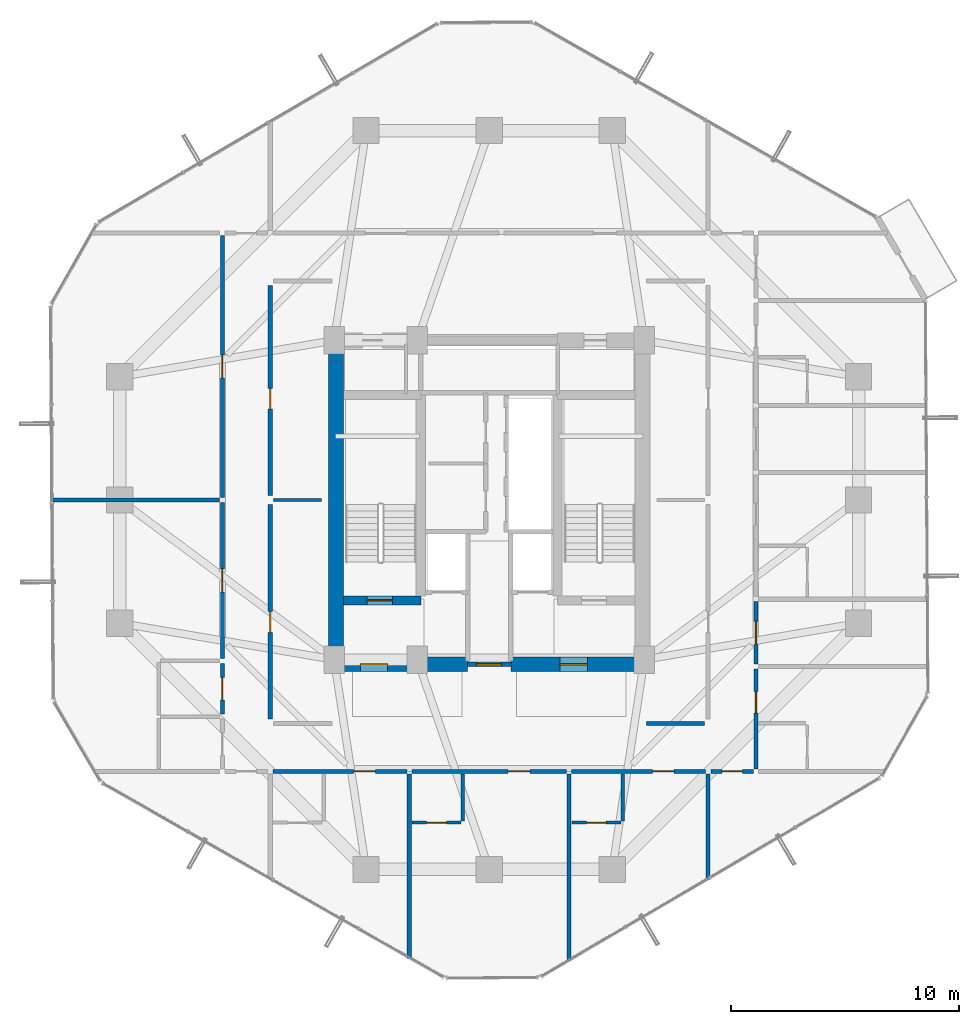
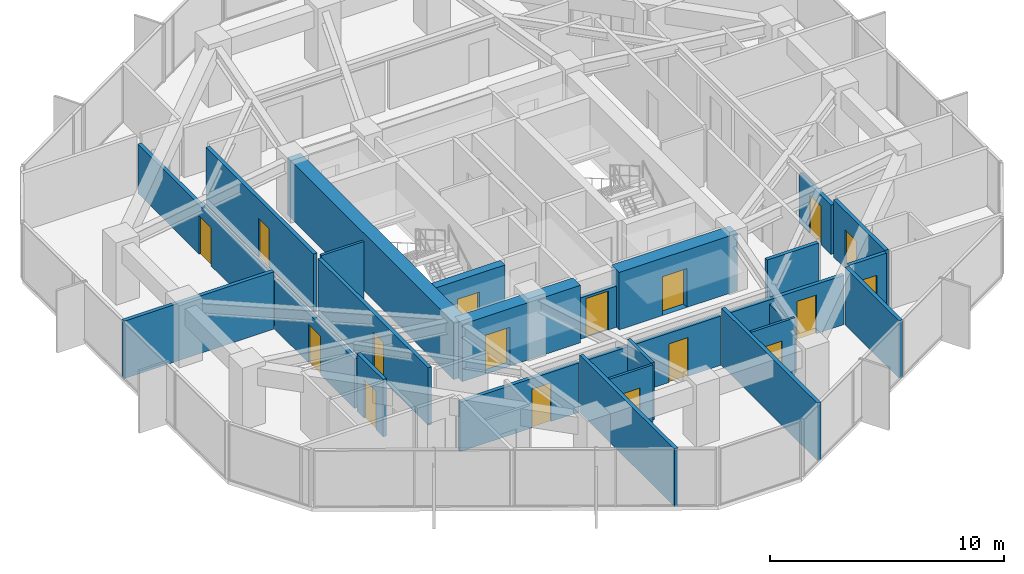
# One storey, part 26 of 30: 26 walls, 17 doors, 17 openings.
"""IFC4 building model written with IfcOpenShell, lengths in metres."""

from ifc_helpers import new_model, si_unit, direction, frame, frame_2d, origin, place, context, subcontext, project, spatial, rectangle, extrude, source, transform, mapped, material, layer, layer_set, type_object, element, fill, save


model = new_model("IFC4")

# Units and contexts
model_context = context("Model", 3, precision=1e-05, world=origin(), true_north=direction((0.0, 1.0)))
body_context = subcontext(model_context, "Body", "Model", "MODEL_VIEW")
ifc_project = project(units=[si_unit("LENGTHUNIT", "METRE"), si_unit("AREAUNIT", "SQUARE_METRE"), si_unit("VOLUMEUNIT", "CUBIC_METRE"), si_unit("PLANEANGLEUNIT", "RADIAN"), si_unit("MASSUNIT", "GRAM", prefix="KILO")], contexts=[model_context])

# Site, building, storey
site_placement = place(None, origin())
site = spatial("IfcSite", under=ifc_project, at=site_placement, CompositionType="ELEMENT")
building_placement = place(site_placement, origin())
building = spatial("IfcBuilding", under=site, at=building_placement, Name="Veraguas Prism Commons", CompositionType="ELEMENT")
storey_placement = place(building_placement, frame((0.0, 0.0, 129.5)))
storey = spatial("IfcBuildingStorey", under=building, at=storey_placement, Name="L36", CompositionType="ELEMENT", Elevation=129.5)

# Wall, opening, door
ifc_material_1 = material(Name="Concrete C50/60", Category="concrete")
ifc_layer_1 = layer(ifc_material_1, 0.39990234375, Name="Clinic and Mid Core Shear Wall RC 400", Category="concrete")
ifc_layer_set_1 = layer_set([ifc_layer_1], Name="Concrete C50/60")
wall_type_1 = type_object("IfcWallType", Name="Clinic and Mid Core Shear Wall RC 400", PredefinedType="SHEAR", material=ifc_layer_set_1)
wall_1_placement = place(storey_placement, frame((17.60009765625, 19.60009765625, 0.0), z_axis=(0.0, 0.0, 1.0), x_axis=(1.0, 0.0, 0.0)))
wall_1 = element("IfcWall", 1, at=wall_1_placement, inside=storey, type_object=wall_type_1, Name="Stair ST-01 South Shear Wall L36", PredefinedType="SHEAR", context=body_context, shape_type="SweptSolid", body=[
    extrude(rectangle(XDim=3.39990234375, YDim=0.39990234375, at=frame_2d((1.699951171875, 0.0))), origin(), (0.0, 0.0, 1.0), 3.0),
])
opening_1_placement = place(wall_1_placement, frame((1.050048828125, 0.0, 0.0)))
opening_1 = element("IfcOpeningElement", 2, at=opening_1_placement, cuts=wall_1, Name="Opening DR-05", PredefinedType="OPENING", context=body_context, shape_type="SweptSolid", body=[
    extrude(rectangle(XDim=1.10009765625, YDim=2.030029296875, at=frame_2d((0.550048828125, 1.01513671875))), frame((0.0, 0.2099609375, 0.0), z_axis=(0.0, -1.0, 0.0), x_axis=(1.0, 0.0, 0.0)), (0.0, 0.0, 1.0), 0.419921875),
])
ifc_material_2 = material(Name="Steel fire-rated door assembly", Category="steel")
door_type_1 = type_object("IfcDoorType", Name="Protected Stair and Refuge Fire Door 1100x2030", OperationType="NOTDEFINED", PredefinedType="DOOR", material=ifc_material_2)
shared_shape_1 = source(origin(), body_context, "Body", "SweptSolid", [
    extrude(rectangle(XDim=1.10009765625, YDim=2.030029296875, at=frame_2d((0.550048828125, 1.01513671875))), frame((0.0, 0.02490234375, 0.0), z_axis=(0.0, -1.0, 0.0), x_axis=(1.0, 0.0, 0.0)), (0.0, 0.0, 1.0), 0.050048828125),
])
door_1_placement = place(opening_1_placement, origin())
door_1 = element("IfcDoor", 3, at=door_1_placement, inside=storey, type_object=door_type_1, Name="Stair ST-01 Enclosure Door L36", OperationType="SINGLE_SWING_LEFT", OverallHeight=2.030029296875, OverallWidth=1.10009765625, PredefinedType="DOOR", context=body_context, shape_type="MappedRepresentation", body=[
    mapped(shared_shape_1, transform((0.0, 0.0, 0.0), scale=1.0)),
])
fill(opening_1, door_1)

# Wall
ifc_material_3 = material(Name="Concrete C55/67", Category="concrete")
ifc_layer_2 = layer(ifc_material_3, 0.64990234375, Name="Core Outer Shear Wall Mid RC 650", Category="concrete")
ifc_layer_set_2 = layer_set([ifc_layer_2], Name="Concrete C55/67")
wall_type_2 = type_object("IfcWallType", Name="Core Outer Shear Wall Mid RC 650", PredefinedType="SHEAR", material=ifc_layer_set_2)
wall_2_placement = place(storey_placement, frame((17.27490234375, 16.800048828125, 0.0), z_axis=(0.0, 0.0, 1.0), x_axis=(0.0, 1.0, 0.0)))
element("IfcWall", 4, at=wall_2_placement, inside=storey, type_object=wall_type_2, Name="Central Core West Shear Wall L36", PredefinedType="SHEAR", context=body_context, shape_type="SweptSolid", body=[
    extrude(rectangle(XDim=14.199951171875, YDim=0.64990234375, at=frame_2d((7.10009765625, 0.0))), origin(), (0.0, 0.0, 1.0), 3.0),
])

# Wall, opening, door
wall_3_placement = place(storey_placement, frame((17.199951171875, 16.800048828125, 0.0), z_axis=(0.0, 0.0, 1.0), x_axis=(1.0, 0.0, 0.0)))
wall_3 = element("IfcWall", 5, at=wall_3_placement, inside=storey, type_object=wall_type_2, Name="Central Core South-West Shear Wall L36", PredefinedType="SHEAR", context=body_context, shape_type="SweptSolid", body=[
    extrude(rectangle(XDim=5.85009765625, YDim=0.64990234375, at=frame_2d((2.925048828125, 0.0))), origin(), (0.0, 0.0, 1.0), 3.0),
])
opening_2_placement = place(wall_3_placement, frame((1.14990234375, 0.0, 0.0)))
opening_2 = element("IfcOpeningElement", 6, at=opening_2_placement, cuts=wall_3, Name="Opening DR-06", PredefinedType="OPENING", context=body_context, shape_type="SweptSolid", body=[
    extrude(rectangle(XDim=1.199951171875, YDim=2.030029296875, at=frame_2d((0.60009765625, 1.01513671875))), frame((0.0, 0.3349609375, 0.0), z_axis=(0.0, -1.0, 0.0), x_axis=(1.0, 0.0, 0.0)), (0.0, 0.0, 1.0), 0.669921875),
])
door_type_2 = type_object("IfcDoorType", Name="Firefighting Lobby Smoke Door 1200x2030", OperationType="NOTDEFINED", PredefinedType="DOOR", material=ifc_material_2)
shared_shape_2 = source(origin(), body_context, "Body", "SweptSolid", [
    extrude(rectangle(XDim=1.199951171875, YDim=2.030029296875, at=frame_2d((0.60009765625, 1.01513671875))), frame((0.0, 0.02490234375, 0.0), z_axis=(0.0, -1.0, 0.0), x_axis=(1.0, 0.0, 0.0)), (0.0, 0.0, 1.0), 0.050048828125),
])
door_2_placement = place(opening_2_placement, origin())
door_2 = element("IfcDoor", 7, at=door_2_placement, inside=storey, type_object=door_type_2, Name="West FF Lobby Door L36", OperationType="SINGLE_SWING_RIGHT", OverallHeight=2.030029296875, OverallWidth=1.199951171875, PredefinedType="DOOR", context=body_context, shape_type="MappedRepresentation", body=[
    mapped(shared_shape_2, transform((0.0, 0.0, 0.0), scale=1.0)),
])
fill(opening_2, door_2)

wall_4_placement = place(storey_placement, frame((24.949951171875, 16.800048828125, 0.0), z_axis=(0.0, 0.0, 1.0), x_axis=(1.0, 0.0, 0.0)))
wall_4 = element("IfcWall", 8, at=wall_4_placement, inside=storey, type_object=wall_type_2, Name="Central Core South-East Shear Wall L36", PredefinedType="SHEAR", context=body_context, shape_type="SweptSolid", body=[
    extrude(rectangle(XDim=5.85009765625, YDim=0.64990234375, at=frame_2d((2.925048828125, 0.0))), origin(), (0.0, 0.0, 1.0), 3.0),
])
opening_3_placement = place(wall_4_placement, frame((2.14990234375, 0.0, 0.0)))
opening_3 = element("IfcOpeningElement", 9, at=opening_3_placement, cuts=wall_4, Name="Opening DR-06", PredefinedType="OPENING", context=body_context, shape_type="SweptSolid", body=[
    extrude(rectangle(XDim=1.199951171875, YDim=2.030029296875, at=frame_2d((0.60009765625, 1.01513671875))), frame((0.0, 0.3349609375, 0.0), z_axis=(0.0, -1.0, 0.0), x_axis=(1.0, 0.0, 0.0)), (0.0, 0.0, 1.0), 0.669921875),
])
door_3_placement = place(opening_3_placement, origin())
door_3 = element("IfcDoor", 10, at=door_3_placement, inside=storey, type_object=door_type_2, Name="East FF Lobby Door L36", OperationType="SINGLE_SWING_RIGHT", OverallHeight=2.030029296875, OverallWidth=1.199951171875, PredefinedType="DOOR", context=body_context, shape_type="MappedRepresentation", body=[
    mapped(shared_shape_2, transform((0.0, 0.0, 0.0), scale=1.0)),
])
fill(opening_3, door_3)

ifc_material_4 = material(Name="Autoclaved aerated masonry block 10 MPa", Category="masonry")
ifc_layer_3 = layer(ifc_material_4, 0.179931640625, Name="Corridor and Inter-Tenancy Partition 180", Category="masonry")
ifc_layer_set_3 = layer_set([ifc_layer_3], Name="Autoclaved aerated masonry block 10 MPa")
wall_type_3 = type_object("IfcWallType", Name="Corridor and Inter-Tenancy Partition 180", PredefinedType="PARTITIONING", material=ifc_layer_set_3)
wall_5_placement = place(storey_placement, frame((14.39990234375, 14.39990234375, 0.0), z_axis=(0.0, 0.0, 1.0), x_axis=(0.0, 1.0, 0.0)))
wall_5 = element("IfcWall", 11, at=wall_5_placement, inside=storey, type_object=wall_type_3, Name="WL-L36-IRW1", PredefinedType="PARTITIONING", context=body_context, shape_type="SweptSolid", body=[
    extrude(rectangle(XDim=9.400146484375, YDim=0.179931640625, at=frame_2d((4.7001953125, 0.0))), origin(), (0.0, 0.0, 1.0), 3.0),
])
opening_4_placement = place(wall_5_placement, frame((3.800048828125, 0.0, 0.0)))
opening_4 = element("IfcOpeningElement", 12, at=opening_4_placement, cuts=wall_5, Name="Opening DR-14", PredefinedType="OPENING", context=body_context, shape_type="SweptSolid", body=[
    extrude(rectangle(XDim=0.89990234375, YDim=2.010009765625, at=frame_2d((0.449951171875, 1.0048828125))), frame((0.0, 0.099853515625, 0.0), z_axis=(0.0, -1.0, 0.0), x_axis=(1.0, 0.0, 0.0)), (0.0, 0.0, 1.0), 0.199951171875),
])
door_type_3 = type_object("IfcDoorType", Name="Core Service Room Fire Door 900x2010", OperationType="NOTDEFINED", PredefinedType="DOOR", material=ifc_material_2)
shared_shape_3 = source(origin(), body_context, "Body", "SweptSolid", [
    extrude(rectangle(XDim=0.89990234375, YDim=2.010009765625, at=frame_2d((0.449951171875, 1.0048828125))), frame((0.0, 0.02490234375, 0.0), z_axis=(0.0, -1.0, 0.0), x_axis=(1.0, 0.0, 0.0)), (0.0, 0.0, 1.0), 0.050048828125),
])
door_4_placement = place(opening_4_placement, origin())
door_4 = element("IfcDoor", 13, at=door_4_placement, inside=storey, type_object=door_type_3, Name="Residents Quiet Study Pod Door L36", OperationType="SINGLE_SWING_LEFT", OverallHeight=2.010009765625, OverallWidth=0.89990234375, PredefinedType="DOOR", context=body_context, shape_type="MappedRepresentation", body=[
    mapped(shared_shape_3, transform((0.0, 0.0, 0.0), scale=1.0)),
])
fill(opening_4, door_4)

wall_6_placement = place(storey_placement, frame((14.39990234375, 24.199951171875, 0.0), z_axis=(0.0, 0.0, 1.0), x_axis=(0.0, 1.0, 0.0)))
wall_6 = element("IfcWall", 14, at=wall_6_placement, inside=storey, type_object=wall_type_3, Name="WL-L36-IRW2", PredefinedType="PARTITIONING", context=body_context, shape_type="SweptSolid", body=[
    extrude(rectangle(XDim=9.199951171875, YDim=0.179931640625, at=frame_2d((4.60009765625, 0.0))), origin(), (0.0, 0.0, 1.0), 3.0),
])
opening_5_placement = place(wall_6_placement, frame((3.800048828125, 0.0, 0.0)))
opening_5 = element("IfcOpeningElement", 15, at=opening_5_placement, cuts=wall_6, Name="Opening DR-14", PredefinedType="OPENING", context=body_context, shape_type="SweptSolid", body=[
    extrude(rectangle(XDim=0.89990234375, YDim=2.010009765625, at=frame_2d((0.449951171875, 1.0048828125))), frame((0.0, 0.099853515625, 0.0), z_axis=(0.0, -1.0, 0.0), x_axis=(1.0, 0.0, 0.0)), (0.0, 0.0, 1.0), 0.199951171875),
])
door_5_placement = place(opening_5_placement, origin())
door_5 = element("IfcDoor", 16, at=door_5_placement, inside=storey, type_object=door_type_3, Name="Co-op Cycle and Pram Store Door L36", OperationType="SINGLE_SWING_RIGHT", OverallHeight=2.010009765625, OverallWidth=0.89990234375, PredefinedType="DOOR", context=body_context, shape_type="MappedRepresentation", body=[
    mapped(shared_shape_3, transform((0.0, 0.0, 0.0), scale=1.0)),
])
fill(opening_5, door_5)

# Walls
wall_7_placement = place(storey_placement, frame((30.89990234375, 14.199951171875, 0.0), z_axis=(0.0, 0.0, 1.0), x_axis=(1.0, 0.0, 0.0)))
element("IfcWall", 17, at=wall_7_placement, inside=storey, type_object=wall_type_3, Name="WL-L36-IRES", PredefinedType="PARTITIONING", context=body_context, shape_type="SweptSolid", body=[
    extrude(rectangle(XDim=2.550048828125, YDim=0.179931640625, at=frame_2d((1.27490234375, 0.0))), origin(), (0.0, 0.0, 1.0), 3.0),
])
wall_8_placement = place(storey_placement, frame((33.60009765625, 11.97998046875, 0.0), z_axis=(0.0, 0.0, 1.0), x_axis=(0.0, -1.0, 0.0)))
element("IfcWall", 18, at=wall_8_placement, inside=storey, type_object=wall_type_3, Name="WL-L36-PT002", PredefinedType="PARTITIONING", context=body_context, shape_type="SweptSolid", body=[
    extrude(rectangle(XDim=4.62255859375, YDim=0.179931640625, at=frame_2d((2.311279296875, 0.0))), origin(), (0.0, 0.0, 1.0), 3.0),
])

# Wall, opening, door
wall_9_placement = place(storey_placement, frame((14.510009765625, 12.10009765625, 0.0), z_axis=(0.0, 0.0, 1.0), x_axis=(1.0, 0.0, 0.0)))
wall_9 = element("IfcWall", 19, at=wall_9_placement, inside=storey, type_object=wall_type_3, Name="WL-L36-PT003", PredefinedType="PARTITIONING", context=body_context, shape_type="SweptSolid", body=[
    extrude(rectangle(XDim=5.8759765625, YDim=0.179931640625, at=frame_2d((2.93798828125, 0.0))), origin(), (0.0, 0.0, 1.0), 2.580078125),
])
opening_6_placement = place(wall_9_placement, frame((3.54931640625, 0.0, 0.0)))
opening_6 = element("IfcOpeningElement", 20, at=opening_6_placement, cuts=wall_9, Name="Opening DR-01", PredefinedType="OPENING", context=body_context, shape_type="SweptSolid", body=[
    extrude(rectangle(XDim=0.949951171875, YDim=2.02001953125, at=frame_2d((0.47509765625, 1.010009765625))), frame((0.0, 0.099853515625, 0.0), z_axis=(0.0, -1.0, 0.0), x_axis=(1.0, 0.0, 0.0)), (0.0, 0.0, 1.0), 0.199951171875),
])
ifc_material_5 = material(Name="Anodised aluminium EN AW-6063 T6", Category="aluminium")
door_type_4 = type_object("IfcDoorType", Name="Apartment Entrance Fire Door 950x2020", OperationType="NOTDEFINED", PredefinedType="DOOR", material=ifc_material_5)
shared_shape_4 = source(origin(), body_context, "Body", "SweptSolid", [
    extrude(rectangle(XDim=0.949951171875, YDim=2.02001953125, at=frame_2d((0.47509765625, 1.010009765625))), frame((0.0, 0.02490234375, 0.0), z_axis=(0.0, -1.0, 0.0), x_axis=(1.0, 0.0, 0.0)), (0.0, 0.0, 1.0), 0.050048828125),
])
door_6_placement = place(opening_6_placement, origin())
door_6 = element("IfcDoor", 21, at=door_6_placement, inside=storey, type_object=door_type_4, Name="Studio 36A Entrance Door", OperationType="SINGLE_SWING_LEFT", OverallHeight=2.02001953125, OverallWidth=0.949951171875, PredefinedType="DOOR", context=body_context, shape_type="MappedRepresentation", body=[
    mapped(shared_shape_4, transform((0.0, 0.0, 0.0), scale=1.0)),
])
fill(opening_6, door_6)

# Wall
wall_10_placement = place(storey_placement, frame((20.49609375, 11.97998046875, 0.0), z_axis=(0.0, 0.0, 1.0), x_axis=(0.0, -1.0, 0.0)))
element("IfcWall", 22, at=wall_10_placement, inside=storey, type_object=wall_type_3, Name="WL-L36-PT006", PredefinedType="PARTITIONING", context=body_context, shape_type="SweptSolid", body=[
    extrude(rectangle(XDim=8.08837890625, YDim=0.179931640625, at=frame_2d((4.044189453125, 0.0))), origin(), (0.0, 0.0, 1.0), 3.0),
])

# Wall, opening, door
wall_11_placement = place(storey_placement, frame((20.60595703125, 12.10009765625, 0.0), z_axis=(0.0, 0.0, 1.0), x_axis=(1.0, 0.0, 0.0)))
wall_11 = element("IfcWall", 23, at=wall_11_placement, inside=storey, type_object=wall_type_3, Name="WL-L36-PT007", PredefinedType="PARTITIONING", context=body_context, shape_type="SweptSolid", body=[
    extrude(rectangle(XDim=6.7880859375, YDim=0.179931640625, at=frame_2d((3.39404296875, 0.0))), origin(), (0.0, 0.0, 1.0), 2.580078125),
])
opening_7_placement = place(wall_11_placement, frame((4.22412109375, 0.0, 0.0)))
opening_7 = element("IfcOpeningElement", 24, at=opening_7_placement, cuts=wall_11, Name="Opening DR-01", PredefinedType="OPENING", context=body_context, shape_type="SweptSolid", body=[
    extrude(rectangle(XDim=0.949951171875, YDim=2.02001953125, at=frame_2d((0.47509765625, 1.010009765625))), frame((0.0, 0.099853515625, 0.0), z_axis=(0.0, -1.0, 0.0), x_axis=(1.0, 0.0, 0.0)), (0.0, 0.0, 1.0), 0.199951171875),
])
door_7_placement = place(opening_7_placement, origin())
door_7 = element("IfcDoor", 25, at=door_7_placement, inside=storey, type_object=door_type_4, Name="Studio 36B Entrance Door", OperationType="SINGLE_SWING_LEFT", OverallHeight=2.02001953125, OverallWidth=0.949951171875, PredefinedType="DOOR", context=body_context, shape_type="MappedRepresentation", body=[
    mapped(shared_shape_4, transform((0.0, 0.0, 0.0), scale=1.0)),
])
fill(opening_7, door_7)

# Wall
wall_12_placement = place(storey_placement, frame((27.50390625, 11.97998046875, 0.0), z_axis=(0.0, 0.0, 1.0), x_axis=(0.0, -1.0, 0.0)))
element("IfcWall", 26, at=wall_12_placement, inside=storey, type_object=wall_type_3, Name="WL-L36-PT010", PredefinedType="PARTITIONING", context=body_context, shape_type="SweptSolid", body=[
    extrude(rectangle(XDim=8.1962890625, YDim=0.179931640625, at=frame_2d((4.09814453125, 0.0))), origin(), (0.0, 0.0, 1.0), 3.0),
])

# Wall, opening, door
wall_13_placement = place(storey_placement, frame((27.614013671875, 12.10009765625, 0.0), z_axis=(0.0, 0.0, 1.0), x_axis=(1.0, 0.0, 0.0)))
wall_13 = element("IfcWall", 27, at=wall_13_placement, inside=storey, type_object=wall_type_3, Name="WL-L36-PT011", PredefinedType="PARTITIONING", context=body_context, shape_type="SweptSolid", body=[
    extrude(rectangle(XDim=5.8759765625, YDim=0.179931640625, at=frame_2d((2.93798828125, 0.0))), origin(), (0.0, 0.0, 1.0), 2.580078125),
])
opening_8_placement = place(wall_13_placement, frame((3.54931640625, 0.0, 0.0)))
opening_8 = element("IfcOpeningElement", 28, at=opening_8_placement, cuts=wall_13, Name="Opening DR-01", PredefinedType="OPENING", context=body_context, shape_type="SweptSolid", body=[
    extrude(rectangle(XDim=0.949951171875, YDim=2.02001953125, at=frame_2d((0.47509765625, 1.010009765625))), frame((0.0, 0.099853515625, 0.0), z_axis=(0.0, -1.0, 0.0), x_axis=(1.0, 0.0, 0.0)), (0.0, 0.0, 1.0), 0.199951171875),
])
door_8_placement = place(opening_8_placement, origin())
door_8 = element("IfcDoor", 29, at=door_8_placement, inside=storey, type_object=door_type_4, Name="Studio 36C Entrance Door", OperationType="SINGLE_SWING_LEFT", OverallHeight=2.02001953125, OverallWidth=0.949951171875, PredefinedType="DOOR", context=body_context, shape_type="MappedRepresentation", body=[
    mapped(shared_shape_4, transform((0.0, 0.0, 0.0), scale=1.0)),
])
fill(opening_8, door_8)

wall_14_placement = place(storey_placement, frame((12.300048828125, 14.610107421875, 0.0), z_axis=(0.0, 0.0, 1.0), x_axis=(0.0, 1.0, 0.0)))
wall_14 = element("IfcWall", 30, at=wall_14_placement, inside=storey, type_object=wall_type_3, Name="WL-L36-PT021", PredefinedType="PARTITIONING", context=body_context, shape_type="SweptSolid", body=[
    extrude(rectangle(XDim=2.22998046875, YDim=0.179931640625, at=frame_2d((1.114990234375, 0.0))), origin(), (0.0, 0.0, 1.0), 3.0),
])
opening_9_placement = place(wall_14_placement, frame((0.614990234375, 0.0, 0.0)))
opening_9 = element("IfcOpeningElement", 31, at=opening_9_placement, cuts=wall_14, Name="Opening DR-13", PredefinedType="OPENING", context=body_context, shape_type="SweptSolid", body=[
    extrude(rectangle(XDim=1.0, YDim=2.010009765625, at=frame_2d((0.5, 1.0048828125))), frame((0.0, 0.099853515625, 0.0), z_axis=(0.0, -1.0, 0.0), x_axis=(1.0, 0.0, 0.0)), (0.0, 0.0, 1.0), 0.199951171875),
])
door_type_5 = type_object("IfcDoorType", Name="Core Accessible WC and Clinic Fire Door 1000x2010", OperationType="NOTDEFINED", PredefinedType="DOOR", material=ifc_material_2)
shared_shape_5 = source(origin(), body_context, "Body", "SweptSolid", [
    extrude(rectangle(XDim=1.0, YDim=2.010009765625, at=frame_2d((0.5, 1.0048828125))), frame((0.0, 0.02490234375, 0.0), z_axis=(0.0, -1.0, 0.0), x_axis=(1.0, 0.0, 0.0)), (0.0, 0.0, 1.0), 0.050048828125),
])
door_9_placement = place(opening_9_placement, origin())
door_9 = element("IfcDoor", 32, at=door_9_placement, inside=storey, type_object=door_type_5, Name="Accessible WC L36 Door", OperationType="SINGLE_SWING_RIGHT", OverallHeight=2.010009765625, OverallWidth=1.0, PredefinedType="DOOR", context=body_context, shape_type="MappedRepresentation", body=[
    mapped(shared_shape_5, transform((0.0, 0.0, 0.0), scale=1.0)),
])
fill(opening_9, door_9)

wall_15_placement = place(storey_placement, frame((12.300048828125, 17.06005859375, 0.0), z_axis=(0.0, 0.0, 1.0), x_axis=(0.0, 1.0, 0.0)))
wall_15 = element("IfcWall", 33, at=wall_15_placement, inside=storey, type_object=wall_type_3, Name="WL-L36-PT022", PredefinedType="PARTITIONING", context=body_context, shape_type="SweptSolid", body=[
    extrude(rectangle(XDim=6.829833984375, YDim=0.179931640625, at=frame_2d((3.4150390625, 0.0))), origin(), (0.0, 0.0, 1.0), 2.580078125),
])
opening_10_placement = place(wall_15_placement, frame((2.9150390625, 0.0, 0.0)))
opening_10 = element("IfcOpeningElement", 34, at=opening_10_placement, cuts=wall_15, Name="Opening DR-13", PredefinedType="OPENING", context=body_context, shape_type="SweptSolid", body=[
    extrude(rectangle(XDim=1.0, YDim=2.010009765625, at=frame_2d((0.5, 1.0048828125))), frame((0.0, 0.099853515625, 0.0), z_axis=(0.0, -1.0, 0.0), x_axis=(1.0, 0.0, 0.0)), (0.0, 0.0, 1.0), 0.199951171875),
])
door_10_placement = place(opening_10_placement, origin())
door_10 = element("IfcDoor", 35, at=door_10_placement, inside=storey, type_object=door_type_5, Name="Quiet Study L36 Door", OperationType="SINGLE_SWING_LEFT", OverallHeight=2.010009765625, OverallWidth=1.0, PredefinedType="DOOR", context=body_context, shape_type="MappedRepresentation", body=[
    mapped(shared_shape_5, transform((0.0, 0.0, 0.0), scale=1.0)),
])
fill(opening_10, door_10)

wall_16_placement = place(storey_placement, frame((12.300048828125, 24.110107421875, 0.0), z_axis=(0.0, 0.0, 1.0), x_axis=(0.0, 1.0, 0.0)))
wall_16 = element("IfcWall", 36, at=wall_16_placement, inside=storey, type_object=wall_type_3, Name="WL-L36-PT023", PredefinedType="PARTITIONING", context=body_context, shape_type="SweptSolid", body=[
    extrude(rectangle(XDim=11.47998046875, YDim=0.179931640625, at=frame_2d((5.739990234375, 0.0))), origin(), (0.0, 0.0, 1.0), 2.580078125),
])
opening_11_placement = place(wall_16_placement, frame((5.239990234375, 0.0, 0.0)))
opening_11 = element("IfcOpeningElement", 37, at=opening_11_placement, cuts=wall_16, Name="Opening DR-13", PredefinedType="OPENING", context=body_context, shape_type="SweptSolid", body=[
    extrude(rectangle(XDim=1.0, YDim=2.010009765625, at=frame_2d((0.5, 1.0048828125))), frame((0.0, 0.099853515625, 0.0), z_axis=(0.0, -1.0, 0.0), x_axis=(1.0, 0.0, 0.0)), (0.0, 0.0, 1.0), 0.199951171875),
])
door_11_placement = place(opening_11_placement, origin())
door_11 = element("IfcDoor", 38, at=door_11_placement, inside=storey, type_object=door_type_5, Name="Reading Lounge L36 Door", OperationType="SINGLE_SWING_RIGHT", OverallHeight=2.010009765625, OverallWidth=1.0, PredefinedType="DOOR", context=body_context, shape_type="MappedRepresentation", body=[
    mapped(shared_shape_5, transform((0.0, 0.0, 0.0), scale=1.0)),
])
fill(opening_11, door_11)

# Wall
wall_17_placement = place(storey_placement, frame((12.179931640625, 24.0, 0.0), z_axis=(0.0, 0.0, 1.0), x_axis=(-1.0, 0.0, 0.0)))
element("IfcWall", 39, at=wall_17_placement, inside=storey, type_object=wall_type_3, Name="WL-L36-PT028", PredefinedType="PARTITIONING", context=body_context, shape_type="SweptSolid", body=[
    extrude(rectangle(XDim=7.392822265625, YDim=0.179931640625, at=frame_2d((3.6962890625, 0.0))), origin(), (0.0, 0.0, 1.0), 3.0),
])

# Wall, opening, door
wall_18_placement = place(storey_placement, frame((35.699951171875, 16.80810546875, 0.0), z_axis=(0.0, 0.0, 1.0), x_axis=(0.0, 1.0, 0.0)))
wall_18 = element("IfcWall", 40, at=wall_18_placement, inside=storey, type_object=wall_type_3, Name="WL-L36-PT031", PredefinedType="PARTITIONING", context=body_context, shape_type="SweptSolid", body=[
    extrude(rectangle(XDim=2.72998046875, YDim=0.179931640625, at=frame_2d((1.364990234375, 0.0))), origin(), (0.0, 0.0, 1.0), 2.580078125),
])
opening_12_placement = place(wall_18_placement, frame((0.864990234375, 0.0, 0.0)))
opening_12 = element("IfcOpeningElement", 41, at=opening_12_placement, cuts=wall_18, Name="Opening DR-13", PredefinedType="OPENING", context=body_context, shape_type="SweptSolid", body=[
    extrude(rectangle(XDim=1.0, YDim=2.010009765625, at=frame_2d((0.5, 1.0048828125))), frame((0.0, 0.099853515625, 0.0), z_axis=(0.0, -1.0, 0.0), x_axis=(1.0, 0.0, 0.0)), (0.0, 0.0, 1.0), 0.199951171875),
])
door_12_placement = place(opening_12_placement, origin())
door_12 = element("IfcDoor", 42, at=door_12_placement, inside=storey, type_object=door_type_5, Name="Quiet Study E Door", OperationType="SINGLE_SWING_LEFT", OverallHeight=2.010009765625, OverallWidth=1.0, PredefinedType="DOOR", context=body_context, shape_type="MappedRepresentation", body=[
    mapped(shared_shape_5, transform((0.0, 0.0, 0.0), scale=1.0)),
])
fill(opening_12, door_12)

wall_19_placement = place(storey_placement, frame((35.699951171875, 12.2099609375, 0.0), z_axis=(0.0, 0.0, 1.0), x_axis=(0.0, 1.0, 0.0)))
wall_19 = element("IfcWall", 43, at=wall_19_placement, inside=storey, type_object=wall_type_3, Name="WL-L36-PT033", PredefinedType="PARTITIONING", context=body_context, shape_type="SweptSolid", body=[
    extrude(rectangle(XDim=4.3779296875, YDim=0.179931640625, at=frame_2d((2.18896484375, 0.0))), origin(), (0.0, 0.0, 1.0), 3.0),
])
opening_13_placement = place(wall_19_placement, frame((2.440673828125, 0.0, 0.0)))
opening_13 = element("IfcOpeningElement", 44, at=opening_13_placement, cuts=wall_19, Name="Opening DR-01", PredefinedType="OPENING", context=body_context, shape_type="SweptSolid", body=[
    extrude(rectangle(XDim=0.949951171875, YDim=2.02001953125, at=frame_2d((0.47509765625, 1.010009765625))), frame((0.0, 0.099853515625, 0.0), z_axis=(0.0, -1.0, 0.0), x_axis=(1.0, 0.0, 0.0)), (0.0, 0.0, 1.0), 0.199951171875),
])
door_13_placement = place(opening_13_placement, origin())
door_13 = element("IfcDoor", 45, at=door_13_placement, inside=storey, type_object=door_type_4, Name="Studio 36D Entrance Door", OperationType="SINGLE_SWING_RIGHT", OverallHeight=2.02001953125, OverallWidth=0.949951171875, PredefinedType="DOOR", context=body_context, shape_type="MappedRepresentation", body=[
    mapped(shared_shape_4, transform((0.0, 0.0, 0.0), scale=1.0)),
])
fill(opening_13, door_13)

wall_20_placement = place(storey_placement, frame((33.719970703125, 12.10009765625, 0.0), z_axis=(0.0, 0.0, 1.0), x_axis=(1.0, 0.0, 0.0)))
wall_20 = element("IfcWall", 46, at=wall_20_placement, inside=storey, type_object=wall_type_3, Name="WL-L36-PT049", PredefinedType="PARTITIONING", context=body_context, shape_type="SweptSolid", body=[
    extrude(rectangle(XDim=1.860107421875, YDim=0.179931640625, at=frame_2d((0.93017578125, 0.0))), origin(), (0.0, 0.0, 1.0), 3.0),
])
opening_14_placement = place(wall_20_placement, frame((0.47998046875, 0.0, 0.0)))
opening_14 = element("IfcOpeningElement", 47, at=opening_14_placement, cuts=wall_20, Name="Opening DR-14", PredefinedType="OPENING", context=body_context, shape_type="SweptSolid", body=[
    extrude(rectangle(XDim=0.89990234375, YDim=2.010009765625, at=frame_2d((0.449951171875, 1.0048828125))), frame((0.0, 0.099853515625, 0.0), z_axis=(0.0, -1.0, 0.0), x_axis=(1.0, 0.0, 0.0)), (0.0, 0.0, 1.0), 0.199951171875),
])
door_14_placement = place(opening_14_placement, origin())
door_14 = element("IfcDoor", 48, at=door_14_placement, inside=storey, type_object=door_type_3, Name="Corner Study SE Door", OperationType="SINGLE_SWING_LEFT", OverallHeight=2.010009765625, OverallWidth=0.89990234375, PredefinedType="DOOR", context=body_context, shape_type="MappedRepresentation", body=[
    mapped(shared_shape_3, transform((0.0, 0.0, 0.0), scale=1.0)),
])
fill(opening_14, door_14)

# Wall
ifc_material_6 = material(Name="Lightweight acoustic gypsum board")
ifc_layer_4 = layer(ifc_material_6, 0.125, Name="Internal Apartment Room Partition 125")
ifc_layer_set_4 = layer_set([ifc_layer_4], Name="Lightweight acoustic gypsum board")
wall_type_4 = type_object("IfcWallType", Name="Internal Apartment Room Partition 125", PredefinedType="PARTITIONING", material=ifc_layer_set_4)
wall_21_placement = place(storey_placement, frame((14.550048828125, 24.0, 0.0), z_axis=(0.0, 0.0, 1.0), x_axis=(1.0, 0.0, 0.0)))
element("IfcWall", 49, at=wall_21_placement, inside=storey, type_object=wall_type_4, Name="WL-L36-IRWM", PredefinedType="PARTITIONING", context=body_context, shape_type="SweptSolid", body=[
    extrude(rectangle(XDim=2.099853515625, YDim=0.125, at=frame_2d((1.0498046875, 0.0))), origin(), (0.0, 0.0, 1.0), 3.0),
])

# Wall, opening, door
wall_22_placement = place(storey_placement, frame((20.615966796875, 9.85009765625, 0.0), z_axis=(0.0, 0.0, 1.0), x_axis=(1.0, 0.0, 0.0)))
wall_22 = element("IfcWall", 50, at=wall_22_placement, inside=storey, type_object=wall_type_4, Name="WL-L36-PT009", PredefinedType="PARTITIONING", context=body_context, shape_type="SweptSolid", body=[
    extrude(rectangle(XDim=2.150146484375, YDim=0.125, at=frame_2d((1.0751953125, 0.0))), origin(), (0.0, 0.0, 1.0), 3.0),
])
opening_15_placement = place(wall_22_placement, frame((0.64501953125, 0.0, 0.0)))
opening_15 = element("IfcOpeningElement", 51, at=opening_15_placement, cuts=wall_22, Name="Opening DR-03", PredefinedType="OPENING", context=body_context, shape_type="SweptSolid", body=[
    extrude(rectangle(XDim=0.860107421875, YDim=2.010009765625, at=frame_2d((0.43017578125, 1.0048828125))), frame((0.0, 0.072509765625, 0.0), z_axis=(0.0, -1.0, 0.0), x_axis=(1.0, 0.0, 0.0)), (0.0, 0.0, 1.0), 0.14501953125),
])
ifc_material_7 = material(Name="Timber moisture-resistant leaf", Category="wood")
door_type_6 = type_object("IfcDoorType", Name="Internal Bathroom Door 860x2010", OperationType="NOTDEFINED", PredefinedType="DOOR", material=ifc_material_7)
shared_shape_6 = source(origin(), body_context, "Body", "SweptSolid", [
    extrude(rectangle(XDim=0.860107421875, YDim=2.010009765625, at=frame_2d((0.43017578125, 1.0048828125))), frame((0.0, 0.02490234375, 0.0), z_axis=(0.0, -1.0, 0.0), x_axis=(1.0, 0.0, 0.0)), (0.0, 0.0, 1.0), 0.050048828125),
])
door_15_placement = place(opening_15_placement, origin())
door_15 = element("IfcDoor", 52, at=door_15_placement, inside=storey, type_object=door_type_6, Name="Studio 36B Bathroom Door", OperationType="SINGLE_SWING_RIGHT", OverallHeight=2.010009765625, OverallWidth=0.860107421875, PredefinedType="DOOR", context=body_context, shape_type="MappedRepresentation", body=[
    mapped(shared_shape_6, transform((0.0, 0.0, 0.0), scale=1.0)),
])
fill(opening_15, door_15)

wall_23_placement = place(storey_placement, frame((27.6240234375, 9.85009765625, 0.0), z_axis=(0.0, 0.0, 1.0), x_axis=(1.0, 0.0, 0.0)))
wall_23 = element("IfcWall", 53, at=wall_23_placement, inside=storey, type_object=wall_type_4, Name="WL-L36-PT013", PredefinedType="PARTITIONING", context=body_context, shape_type="SweptSolid", body=[
    extrude(rectangle(XDim=2.14990234375, YDim=0.125, at=frame_2d((1.074951171875, 0.0))), origin(), (0.0, 0.0, 1.0), 3.0),
])
opening_16_placement = place(wall_23_placement, frame((0.64501953125, 0.0, 0.0)))
opening_16 = element("IfcOpeningElement", 54, at=opening_16_placement, cuts=wall_23, Name="Opening DR-03", PredefinedType="OPENING", context=body_context, shape_type="SweptSolid", body=[
    extrude(rectangle(XDim=0.860107421875, YDim=2.010009765625, at=frame_2d((0.43017578125, 1.0048828125))), frame((0.0, 0.072509765625, 0.0), z_axis=(0.0, -1.0, 0.0), x_axis=(1.0, 0.0, 0.0)), (0.0, 0.0, 1.0), 0.14501953125),
])
door_16_placement = place(opening_16_placement, origin())
door_16 = element("IfcDoor", 55, at=door_16_placement, inside=storey, type_object=door_type_6, Name="Studio 36C Bathroom Door", OperationType="SINGLE_SWING_RIGHT", OverallHeight=2.010009765625, OverallWidth=0.860107421875, PredefinedType="DOOR", context=body_context, shape_type="MappedRepresentation", body=[
    mapped(shared_shape_6, transform((0.0, 0.0, 0.0), scale=1.0)),
])
fill(opening_16, door_16)

ifc_layer_5 = layer(ifc_material_4, 0.199951171875, Name="Rated Shaft and Lobby Block Wall 200", Category="masonry")
ifc_layer_set_5 = layer_set([ifc_layer_5], Name="Autoclaved aerated masonry block 10 MPa")
wall_type_5 = type_object("IfcWallType", Name="Rated Shaft and Lobby Block Wall 200", PredefinedType="SOLIDWALL", material=ifc_layer_set_5)
wall_24_placement = place(storey_placement, frame((23.050048828125, 16.800048828125, 0.0), z_axis=(0.0, 0.0, 1.0), x_axis=(1.0, 0.0, 0.0)))
wall_24 = element("IfcWall", 56, at=wall_24_placement, inside=storey, type_object=wall_type_5, Name="Central Core Lobby Entrance Wall L36", PredefinedType="SOLIDWALL", context=body_context, shape_type="SweptSolid", body=[
    extrude(rectangle(XDim=1.89990234375, YDim=0.199951171875, at=frame_2d((0.949951171875, 0.0))), origin(), (0.0, 0.0, 1.0), 2.14990234375),
])
opening_17_placement = place(wall_24_placement, frame((0.39990234375, 0.0, 0.0)))
opening_17 = element("IfcOpeningElement", 57, at=opening_17_placement, cuts=wall_24, Name="Opening DR-05", PredefinedType="OPENING", context=body_context, shape_type="SweptSolid", body=[
    extrude(rectangle(XDim=1.10009765625, YDim=2.030029296875, at=frame_2d((0.550048828125, 1.01513671875))), frame((0.0, 0.10986328125, 0.0), z_axis=(0.0, -1.0, 0.0), x_axis=(1.0, 0.0, 0.0)), (0.0, 0.0, 1.0), 0.219970703125),
])
door_17_placement = place(opening_17_placement, origin())
door_17 = element("IfcDoor", 58, at=door_17_placement, inside=storey, type_object=door_type_1, Name="Central Lobby Door L36", OperationType="SINGLE_SWING_LEFT", OverallHeight=2.030029296875, OverallWidth=1.10009765625, PredefinedType="DOOR", context=body_context, shape_type="MappedRepresentation", body=[
    mapped(shared_shape_1, transform((0.0, 0.0, 0.0), scale=1.0)),
])
fill(opening_17, door_17)

# Walls
ifc_layer_6 = layer(ifc_material_6, 0.14990234375, Name="Wet Room and Clinic Acoustic Partition 150")
ifc_layer_set_6 = layer_set([ifc_layer_6], Name="Lightweight acoustic gypsum board")
wall_type_6 = type_object("IfcWallType", Name="Wet Room and Clinic Acoustic Partition 150", PredefinedType="PARTITIONING", material=ifc_layer_set_6)
wall_25_placement = place(storey_placement, frame((22.845947265625, 11.97998046875, 0.0), z_axis=(0.0, 0.0, 1.0), x_axis=(0.0, -1.0, 0.0)))
element("IfcWall", 59, at=wall_25_placement, inside=storey, type_object=wall_type_6, Name="WL-L36-PT008", PredefinedType="PARTITIONING", context=body_context, shape_type="SweptSolid", body=[
    extrude(rectangle(XDim=2.050048828125, YDim=0.14990234375, at=frame_2d((1.02490234375, 0.0))), origin(), (0.0, 0.0, 1.0), 3.0),
])
wall_26_placement = place(storey_placement, frame((29.85400390625, 11.97998046875, 0.0), z_axis=(0.0, 0.0, 1.0), x_axis=(0.0, -1.0, 0.0)))
element("IfcWall", 60, at=wall_26_placement, inside=storey, type_object=wall_type_6, Name="WL-L36-PT012", PredefinedType="PARTITIONING", context=body_context, shape_type="SweptSolid", body=[
    extrude(rectangle(XDim=2.050048828125, YDim=0.14990234375, at=frame_2d((1.02490234375, 0.0))), origin(), (0.0, 0.0, 1.0), 2.3779296875),
])

save(model, "model.ifc")
